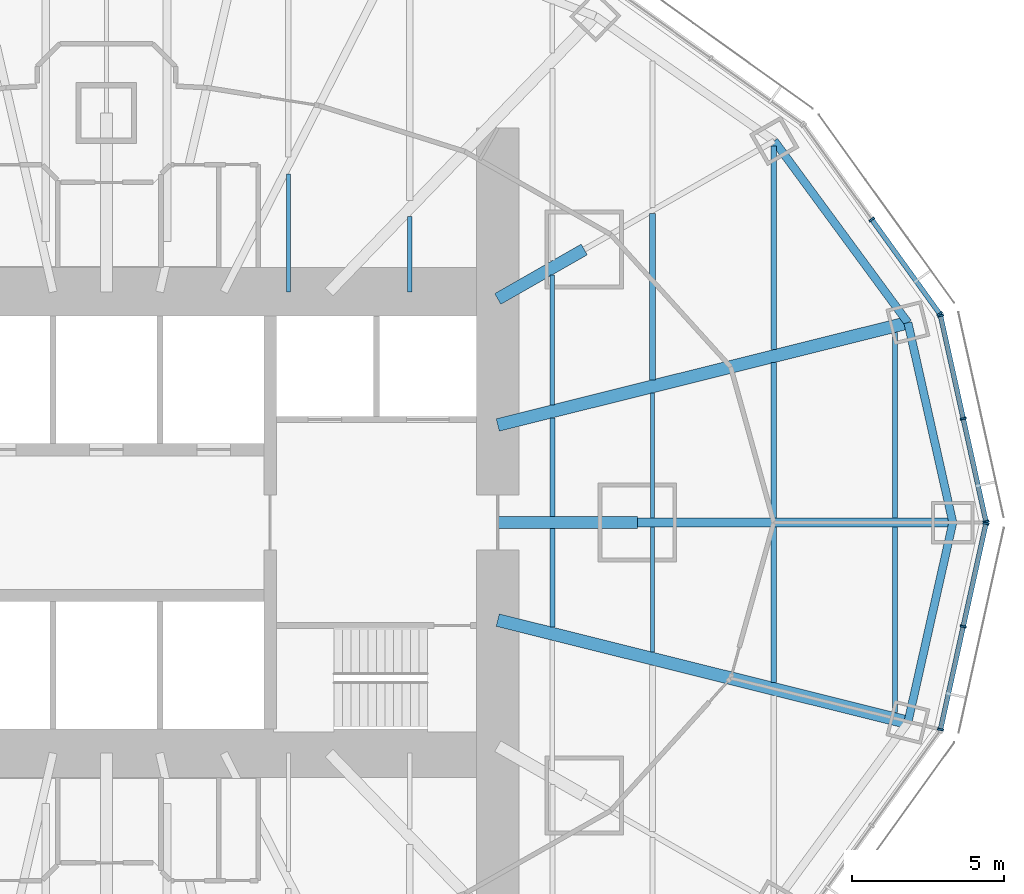
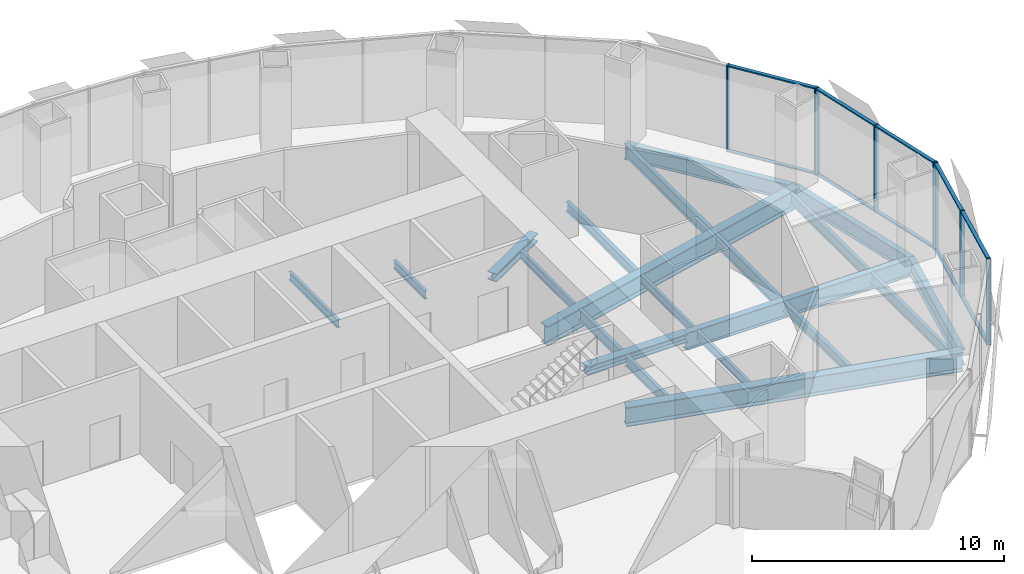
# One storey, part 6 of 17: 21 beams, 18 members, 3 elements without a shape of their own.
"""IFC4 building model written with IfcOpenShell, lengths in metres."""

from ifc_helpers import new_model, si_unit, direction, frame, origin, origin_2d, place, context, subcontext, project, spatial, rectangle, i_section, extrude, material, material_profile, profile_set, type_object, element, aggregate, save


model = new_model("IFC4")

# Units and contexts
model_context = context("Model", 3, precision=1e-05, world=origin(), true_north=direction((0.0, 1.0)))
body_context = subcontext(model_context, "Body", "Model", "MODEL_VIEW")
ifc_project = project(units=[si_unit("LENGTHUNIT", "METRE"), si_unit("AREAUNIT", "SQUARE_METRE"), si_unit("VOLUMEUNIT", "CUBIC_METRE"), si_unit("PLANEANGLEUNIT", "RADIAN"), si_unit("MASSUNIT", "GRAM", prefix="KILO")], contexts=[model_context])

# Site, building, storey
site_placement = place(None, origin())
site = spatial("IfcSite", under=ifc_project, at=site_placement, CompositionType="ELEMENT")
building_placement = place(site_placement, origin())
building = spatial("IfcBuilding", under=site, at=building_placement, Name="Lantaw Convention Tower", CompositionType="ELEMENT")
storey_placement = place(building_placement, frame((0.0, 0.0, 121.60009765625)))
storey = spatial("IfcBuildingStorey", under=building, at=storey_placement, Name="L28", CompositionType="ELEMENT", Elevation=121.60009765625)

# Beams
ifc_material_1 = material(Name="Steel ASTM A992", Category="steel")
ifc_material_profile_1 = material_profile(ifc_material_1, i_section(OverallWidth=0.2666015625, OverallDepth=0.76953125, WebThickness=0.015625, FlangeThickness=0.025390625, FilletRadius=0.0126953125, at=origin_2d()), Name="W30X132")
ifc_profile_set_1 = profile_set([ifc_material_profile_1], Name="Steel ASTM A992")
beam_type_1 = type_object("IfcBeamType", Name="Beam E W30X132", PredefinedType="SPANDREL", material=ifc_profile_set_1)
beam_1_placement = place(storey_placement, frame((27.89990234375, 0.0, -0.534912109375), z_axis=(-0.219211877447, 0.975677279015, 0.0), x_axis=(-0.975677279015, -0.219211877447, 0.0)))
element("IfcBeam", 1, at=beam_1_placement, inside=storey, type_object=beam_type_1, Name="Edge beam 1", PredefinedType="SPANDREL", context=body_context, shape_type="SweptSolid", body=[
    extrude(i_section(OverallWidth=0.2666015625, OverallDepth=0.76953125, WebThickness=0.015625, FlangeThickness=0.025390625, FilletRadius=0.0126953125, at=origin_2d()), origin(), (0.0, 0.0, 1.0), 6.75146484375),
])
beam_2_placement = place(storey_placement, frame((26.419921875, 6.587158203125, -0.534912109375), z_axis=(-0.5923891972, 0.805651934176, 0.0), x_axis=(-0.805651934176, -0.5923891972, 0.0)))
element("IfcBeam", 2, at=beam_2_placement, inside=storey, type_object=beam_type_1, Name="Edge beam 2", PredefinedType="SPANDREL", context=body_context, shape_type="SweptSolid", body=[
    extrude(i_section(OverallWidth=0.2666015625, OverallDepth=0.76953125, WebThickness=0.015625, FlangeThickness=0.025390625, FilletRadius=0.0126953125, at=origin_2d()), origin(), (0.0, 0.0, 1.0), 7.437744140625),
])
beam_3_placement = place(storey_placement, frame((26.419921875, -6.587158203125, -0.534912109375), z_axis=(0.219211877447, 0.975677279015, 0.0), x_axis=(-0.975677279015, 0.219211877447, 0.0)))
element("IfcBeam", 3, at=beam_3_placement, inside=storey, type_object=beam_type_1, Name="Edge beam 24", PredefinedType="SPANDREL", context=body_context, shape_type="SweptSolid", body=[
    extrude(i_section(OverallWidth=0.2666015625, OverallDepth=0.76953125, WebThickness=0.015625, FlangeThickness=0.025390625, FilletRadius=0.0126953125, at=origin_2d()), origin(), (0.0, 0.0, 1.0), 6.75146484375),
])
ifc_material_profile_2 = material_profile(ifc_material_1, i_section(OverallWidth=0.2919921875, OverallDepth=0.845703125, WebThickness=0.015380859375, FlangeThickness=0.0244140625, FilletRadius=0.01513671875, at=origin_2d()), Name="W33X141")
ifc_profile_set_2 = profile_set([ifc_material_profile_2], Name="Steel ASTM A992")
beam_type_2 = type_object("IfcBeamType", Name="Beam G W33X141", PredefinedType="BEAM", material=ifc_profile_set_2)
beam_4_placement = place(storey_placement, frame((17.5, 0.0, -0.572998046875), z_axis=(1.0, 0.0, 0.0), x_axis=(0.0, 1.0, 0.0)))
element("IfcBeam", 4, at=beam_4_placement, inside=storey, type_object=beam_type_2, Name="Floor girder on ray 1", PredefinedType="BEAM", context=body_context, shape_type="SweptSolid", body=[
    extrude(i_section(OverallWidth=0.2919921875, OverallDepth=0.845703125, WebThickness=0.015380859375, FlangeThickness=0.0244140625, FilletRadius=0.01513671875, at=origin_2d()), origin(), (0.0, 0.0, 1.0), 10.39990234375),
])
ifc_material_profile_3 = material_profile(ifc_material_1, i_section(OverallWidth=0.421630859375, OverallDepth=0.937255859375, WebThickness=0.0224609375, FlangeThickness=0.039794921875, FilletRadius=0.02001953125, at=origin_2d()), Name="W36X282")
ifc_profile_set_3 = profile_set([ifc_material_profile_3], Name="Steel ASTM A992")
beam_type_3 = type_object("IfcBeamType", Name="Beam G W36X282", PredefinedType="BEAM", material=ifc_profile_set_3)
for number, where, z_axis, x_axis, name in (
    (5, (12.89990234375, 3.21630859375, -0.61865234375), (0.970296903132, 0.24191717544, 0.0), (-0.24191717544, 0.970296903132, 0.0), "Floor girder on ray 2"),
    (6, (12.89990234375, -3.21630859375, -0.61865234375), (0.970296903132, -0.24191717544, 0.0), (0.24191717544, 0.970296903132, 0.0), "Floor girder on ray 24"),
):
    element("IfcBeam", number, at=place(storey_placement, frame(where, z_axis=z_axis, x_axis=x_axis)), inside=storey, type_object=beam_type_3, Name=name, PredefinedType="BEAM", context=body_context, shape_type="SweptSolid", body=[
        extrude(i_section(OverallWidth=0.421630859375, OverallDepth=0.937255859375, WebThickness=0.0224609375, FlangeThickness=0.039794921875, FilletRadius=0.02001953125, at=origin_2d()), origin(), (0.0, 0.0, 1.0), 13.933837890625),
    ])
ifc_material_profile_4 = material_profile(ifc_material_1, i_section(OverallWidth=0.40380859375, OverallDepth=0.406494140625, WebThickness=0.027099609375, FlangeThickness=0.043701171875, FilletRadius=0.01513671875, at=origin_2d()), Name="W14X233")
ifc_profile_set_4 = profile_set([ifc_material_profile_4], Name="Steel ASTM A992")
beam_type_4 = type_object("IfcBeamType", Name="Beam GM W14X233", PredefinedType="BEAM", material=ifc_profile_set_4)
beam_5_placement = place(storey_placement, frame((12.89990234375, 0.0, -0.353271484375), z_axis=(1.0, 0.0, 0.0), x_axis=(0.0, 1.0, 0.0)))
element("IfcBeam", 7, at=beam_5_placement, inside=storey, type_object=beam_type_4, Name="Core link beam on ray 1", PredefinedType="BEAM", context=body_context, shape_type="SweptSolid", body=[
    extrude(i_section(OverallWidth=0.40380859375, OverallDepth=0.406494140625, WebThickness=0.027099609375, FlangeThickness=0.043701171875, FilletRadius=0.01513671875, at=origin_2d()), origin(), (0.0, 0.0, 1.0), 4.60009765625),
])
beam_6_placement = place(storey_placement, frame((12.89990234375, 7.371337890625, -0.353271484375), z_axis=(0.868238565244, 0.496146947811, 0.0), x_axis=(-0.496146947811, 0.868238565244, 0.0)))
element("IfcBeam", 8, at=beam_6_placement, inside=storey, type_object=beam_type_4, Name="Core link beam on ray 3", PredefinedType="BEAM", context=body_context, shape_type="SweptSolid", body=[
    extrude(i_section(OverallWidth=0.40380859375, OverallDepth=0.406494140625, WebThickness=0.027099609375, FlangeThickness=0.043701171875, FilletRadius=0.01513671875, at=origin_2d()), origin(), (0.0, 0.0, 1.0), 3.28271484375),
])
ifc_material_profile_5 = material_profile(ifc_material_1, i_section(OverallWidth=0.140380859375, OverallDepth=0.40380859375, WebThickness=0.007080078125, FlangeThickness=0.01123046875, FilletRadius=0.01025390625, at=origin_2d()), Name="W16X31")
ifc_profile_set_5 = profile_set([ifc_material_profile_5], Name="Steel ASTM A992")
beam_type_5 = type_object("IfcBeamType", Name="Beam J W16X31", PredefinedType="JOIST", material=ifc_profile_set_5)
beam_7_placement = place(storey_placement, frame((6.0, 7.60009765625, -0.35205078125), z_axis=(0.0, 1.0, 0.0), x_axis=(-1.0, 0.0, 0.0)))
element("IfcBeam", 9, at=beam_7_placement, inside=storey, type_object=beam_type_5, Name="Floor joist", PredefinedType="JOIST", context=body_context, shape_type="SweptSolid", body=[
    extrude(i_section(OverallWidth=0.140380859375, OverallDepth=0.40380859375, WebThickness=0.007080078125, FlangeThickness=0.01123046875, FilletRadius=0.01025390625, at=origin_2d()), origin(), (0.0, 0.0, 1.0), 3.895751953125),
])
beam_8_placement = place(storey_placement, frame((10.0, 7.60009765625, -0.35205078125), z_axis=(0.0, 1.0, 0.0), x_axis=(-1.0, 0.0, 0.0)))
element("IfcBeam", 10, at=beam_8_placement, inside=storey, type_object=beam_type_5, Name="Floor joist", PredefinedType="JOIST", context=body_context, shape_type="SweptSolid", body=[
    extrude(i_section(OverallWidth=0.140380859375, OverallDepth=0.40380859375, WebThickness=0.007080078125, FlangeThickness=0.01123046875, FilletRadius=0.01025390625, at=origin_2d()), origin(), (0.0, 0.0, 1.0), 2.49560546875),
])
beam_9_placement = place(storey_placement, frame((14.699951171875, 3.88232421875, -0.35205078125), z_axis=(0.0, 1.0, 0.0), x_axis=(-1.0, 0.0, 0.0)))
element("IfcBeam", 11, at=beam_9_placement, inside=storey, type_object=beam_type_5, Name="Floor joist", PredefinedType="JOIST", context=body_context, shape_type="SweptSolid", body=[
    extrude(i_section(OverallWidth=0.140380859375, OverallDepth=0.40380859375, WebThickness=0.007080078125, FlangeThickness=0.01123046875, FilletRadius=0.01025390625, at=origin_2d()), origin(), (0.0, 0.0, 1.0), 4.28515625),
])
for number, where, z_axis, x_axis, name in (
    (12, (18.0, -4.270751953125, -0.35205078125), (0.0, 1.0, 0.0), (-1.0, 0.0, 0.0), "Floor joist"),
    (13, (18.0, 0.14599609375, -0.35205078125), (0.0, 1.0, 0.0), (-1.0, 0.0, 0.0), "Floor joist"),
):
    element("IfcBeam", number, at=place(storey_placement, frame(where, z_axis=z_axis, x_axis=x_axis)), inside=storey, type_object=beam_type_5, Name=name, PredefinedType="JOIST", context=body_context, shape_type="SweptSolid", body=[
        extrude(i_section(OverallWidth=0.140380859375, OverallDepth=0.40380859375, WebThickness=0.007080078125, FlangeThickness=0.01123046875, FilletRadius=0.01025390625, at=origin_2d()), origin(), (0.0, 0.0, 1.0), 4.124755859375),
    ])
ifc_material_profile_6 = material_profile(ifc_material_1, i_section(OverallWidth=0.1904296875, OverallDepth=0.457275390625, WebThickness=0.009033203125, FlangeThickness=0.014404296875, FilletRadius=0.01025390625, at=origin_2d()), Name="W18X50")
ifc_profile_set_6 = profile_set([ifc_material_profile_6], Name="Steel ASTM A992")
beam_type_6 = type_object("IfcBeamType", Name="Beam J W18X50", PredefinedType="JOIST", material=ifc_profile_set_6)
beam_10_placement = place(storey_placement, frame((18.0, 4.705078125, -0.378662109375), z_axis=(0.0, 1.0, 0.0), x_axis=(-1.0, 0.0, 0.0)))
element("IfcBeam", 14, at=beam_10_placement, inside=storey, type_object=beam_type_6, Name="Floor joist", PredefinedType="JOIST", context=body_context, shape_type="SweptSolid", body=[
    extrude(i_section(OverallWidth=0.1904296875, OverallDepth=0.457275390625, WebThickness=0.009033203125, FlangeThickness=0.014404296875, FilletRadius=0.01025390625, at=origin_2d()), origin(), (0.0, 0.0, 1.0), 5.47802734375),
])
beam_11_placement = place(storey_placement, frame((22.0, -5.267822265625, -0.378662109375), z_axis=(0.0, 1.0, 0.0), x_axis=(-1.0, 0.0, 0.0)))
element("IfcBeam", 15, at=beam_11_placement, inside=storey, type_object=beam_type_6, Name="Floor joist", PredefinedType="JOIST", context=body_context, shape_type="SweptSolid", body=[
    extrude(i_section(OverallWidth=0.1904296875, OverallDepth=0.457275390625, WebThickness=0.009033203125, FlangeThickness=0.014404296875, FilletRadius=0.01025390625, at=origin_2d()), origin(), (0.0, 0.0, 1.0), 5.121826171875),
])
ifc_material_profile_7 = material_profile(ifc_material_1, i_section(OverallWidth=0.1650390625, OverallDepth=0.52587890625, WebThickness=0.0087890625, FlangeThickness=0.011474609375, FilletRadius=0.0126953125, at=origin_2d()), Name="W21X44")
ifc_profile_set_7 = profile_set([ifc_material_profile_7], Name="Steel ASTM A992")
beam_type_7 = type_object("IfcBeamType", Name="Beam J W21X44", PredefinedType="JOIST", material=ifc_profile_set_7)
for number, where, z_axis, x_axis, name in (
    (16, (26.0, -6.26513671875, -0.4130859375), (0.0, 1.0, 0.0), (-1.0, 0.0, 0.0), "Floor joist"),
    (17, (26.0, 0.14599609375, -0.4130859375), (0.0, 1.0, 0.0), (-1.0, 0.0, 0.0), "Floor joist"),
):
    element("IfcBeam", number, at=place(storey_placement, frame(where, z_axis=z_axis, x_axis=x_axis)), inside=storey, type_object=beam_type_7, Name=name, PredefinedType="JOIST", context=body_context, shape_type="SweptSolid", body=[
        extrude(i_section(OverallWidth=0.1650390625, OverallDepth=0.52587890625, WebThickness=0.0087890625, FlangeThickness=0.011474609375, FilletRadius=0.0126953125, at=origin_2d()), origin(), (0.0, 0.0, 1.0), 6.119140625),
    ])
ifc_material_profile_8 = material_profile(ifc_material_1, i_section(OverallWidth=0.165771484375, OverallDepth=0.5283203125, WebThickness=0.009765625, FlangeThickness=0.013671875, FilletRadius=0.012939453125, at=origin_2d()), Name="W21X50")
ifc_profile_set_8 = profile_set([ifc_material_profile_8], Name="Steel ASTM A992")
beam_type_8 = type_object("IfcBeamType", Name="Beam J W21X50", PredefinedType="JOIST", material=ifc_profile_set_8)
for number, where, z_axis, x_axis, name in (
    (18, (14.699951171875, -3.44775390625, -0.414306640625), (0.0, 1.0, 0.0), (-1.0, 0.0, 0.0), "Floor joist"),
    (19, (14.699951171875, 0.201904296875, -0.414306640625), (0.0, 1.0, 0.0), (-1.0, 0.0, 0.0), "Floor joist"),
):
    element("IfcBeam", number, at=place(storey_placement, frame(where, z_axis=z_axis, x_axis=x_axis)), inside=storey, type_object=beam_type_8, Name=name, PredefinedType="JOIST", context=body_context, shape_type="SweptSolid", body=[
        extrude(i_section(OverallWidth=0.165771484375, OverallDepth=0.5283203125, WebThickness=0.009765625, FlangeThickness=0.013671875, FilletRadius=0.012939453125, at=origin_2d()), origin(), (0.0, 0.0, 1.0), 3.245849609375),
    ])
ifc_material_profile_9 = material_profile(ifc_material_1, i_section(OverallWidth=0.177978515625, OverallDepth=0.599365234375, WebThickness=0.010009765625, FlangeThickness=0.012939453125, FilletRadius=0.012939453125, at=origin_2d()), Name="W24X55")
ifc_profile_set_9 = profile_set([ifc_material_profile_9], Name="Steel ASTM A992")
beam_type_9 = type_object("IfcBeamType", Name="Beam J W24X55", PredefinedType="JOIST", material=ifc_profile_set_9)
beam_12_placement = place(storey_placement, frame((22.0, 0.14599609375, -0.44970703125), z_axis=(0.0, 1.0, 0.0), x_axis=(-1.0, 0.0, 0.0)))
element("IfcBeam", 20, at=beam_12_placement, inside=storey, type_object=beam_type_9, Name="Floor joist", PredefinedType="JOIST", context=body_context, shape_type="SweptSolid", body=[
    extrude(i_section(OverallWidth=0.177978515625, OverallDepth=0.599365234375, WebThickness=0.010009765625, FlangeThickness=0.012939453125, FilletRadius=0.012939453125, at=origin_2d()), origin(), (0.0, 0.0, 1.0), 5.121826171875),
])
beam_13_placement = place(storey_placement, frame((22.0, 5.702392578125, -0.44970703125), z_axis=(0.0, 1.0, 0.0), x_axis=(-1.0, 0.0, 0.0)))
element("IfcBeam", 21, at=beam_13_placement, inside=storey, type_object=beam_type_9, Name="Floor joist", PredefinedType="JOIST", context=body_context, shape_type="SweptSolid", body=[
    extrude(i_section(OverallWidth=0.177978515625, OverallDepth=0.599365234375, WebThickness=0.010009765625, FlangeThickness=0.012939453125, FilletRadius=0.012939453125, at=origin_2d()), origin(), (0.0, 0.0, 1.0), 6.70654296875),
])

# Curtain wall, members
ifc_material_2 = material(Name="Aluminium framed curtain wall", Category="aluminium")
curtain_wall_type = type_object("IfcCurtainWallType", Name="Office curtain wall low rise, pale aluminium", PredefinedType="USERDEFINED", material=ifc_material_2)
curtain_wall_1_placement = place(storey_placement, origin())
curtain_wall_1 = element("IfcCurtainWall", 22, at=curtain_wall_1_placement, inside=storey, type_object=curtain_wall_type, Name="Office curtain wall low rise, pale aluminium L28", ObjectType="UNITISED CURTAIN WALL", PredefinedType="USERDEFINED")
ifc_material_3 = material(Name="Aluminium 6063-T6", Category="aluminium")
ifc_material_profile_10 = material_profile(ifc_material_3, rectangle(XDim=0.199951171875, YDim=0.06494140625, at=origin_2d()), Name="CW-O1 mullion 65x200")
ifc_profile_set_10 = profile_set([ifc_material_profile_10], Name="Aluminium 6063-T6")
member_type_1 = type_object("IfcMemberType", Name="CW-O1 mullion 65x200", PredefinedType="MULLION", material=ifc_profile_set_10)
member_1_placement = place(storey_placement, frame((28.992919921875, 0.03173828125, -0.150146484375), z_axis=(0.0, 0.0, 1.0), x_axis=(-0.9764936509, -0.215546166174, 0.0)))
member_1 = element("IfcMember", 23, at=member_1_placement, type_object=member_type_1, Name="CW-O1 mullion 1", PredefinedType="MULLION", context=body_context, shape_type="SweptSolid", body=[
    extrude(rectangle(XDim=0.199951171875, YDim=0.06494140625, at=origin_2d()), origin(), (0.0, 0.0, 1.0), 4.199951171875),
])
member_2_placement = place(storey_placement, frame((28.24365234375, 3.4267578125, -0.150146484375), z_axis=(0.0, 0.0, 1.0), x_axis=(-0.9764936509, -0.215546166174, 0.0)))
member_2 = element("IfcMember", 24, at=member_2_placement, type_object=member_type_1, Name="CW-O1 mullion 2", PredefinedType="MULLION", context=body_context, shape_type="SweptSolid", body=[
    extrude(rectangle(XDim=0.199951171875, YDim=0.06494140625, at=origin_2d()), origin(), (0.0, 0.0, 1.0), 4.199951171875),
])
member_3_placement = place(storey_placement, frame((27.494140625, 6.821533203125, -0.150146484375), z_axis=(0.0, 0.0, 1.0), x_axis=(-0.9764936509, -0.215546166174, 0.0)))
member_3 = element("IfcMember", 25, at=member_3_placement, type_object=member_type_1, Name="CW-O1 mullion 3", PredefinedType="MULLION", context=body_context, shape_type="SweptSolid", body=[
    extrude(rectangle(XDim=0.199951171875, YDim=0.06494140625, at=origin_2d()), origin(), (0.0, 0.0, 1.0), 4.199951171875),
])

curtain_wall_2_placement = place(storey_placement, origin())
curtain_wall_2 = element("IfcCurtainWall", 26, at=curtain_wall_2_placement, inside=storey, type_object=curtain_wall_type, Name="Office curtain wall low rise, pale aluminium L28", ObjectType="UNITISED CURTAIN WALL", PredefinedType="USERDEFINED")
member_4_placement = place(storey_placement, frame((27.46826171875, 6.879638671875, -0.150146484375), z_axis=(0.0, 0.0, 1.0), x_axis=(-0.811384633629, -0.584512597221, 0.0)))
member_4 = element("IfcMember", 27, at=member_4_placement, type_object=member_type_1, Name="CW-O1 mullion 1", PredefinedType="MULLION", context=body_context, shape_type="SweptSolid", body=[
    extrude(rectangle(XDim=0.199951171875, YDim=0.06494140625, at=origin_2d()), origin(), (0.0, 0.0, 1.0), 4.199951171875),
])
member_5_placement = place(storey_placement, frame((25.22802734375, 9.9892578125, -0.150146484375), z_axis=(0.0, 0.0, 1.0), x_axis=(-0.811384633629, -0.584512597221, 0.0)))
member_5 = element("IfcMember", 28, at=member_5_placement, type_object=member_type_1, Name="CW-O1 mullion 2", PredefinedType="MULLION", context=body_context, shape_type="SweptSolid", body=[
    extrude(rectangle(XDim=0.199951171875, YDim=0.06494140625, at=origin_2d()), origin(), (0.0, 0.0, 1.0), 4.199951171875),
])

curtain_wall_3_placement = place(storey_placement, origin())
curtain_wall_3 = element("IfcCurtainWall", 29, at=curtain_wall_3_placement, inside=storey, type_object=curtain_wall_type, Name="Office curtain wall low rise, pale aluminium L28", ObjectType="UNITISED CURTAIN WALL", PredefinedType="USERDEFINED")
member_6_placement = place(storey_placement, frame((27.494140625, -6.821533203125, -0.150146484375), z_axis=(0.0, 0.0, 1.0), x_axis=(-0.9764936509, 0.215546166174, 0.0)))
member_6 = element("IfcMember", 30, at=member_6_placement, type_object=member_type_1, Name="CW-O1 mullion 1", PredefinedType="MULLION", context=body_context, shape_type="SweptSolid", body=[
    extrude(rectangle(XDim=0.199951171875, YDim=0.06494140625, at=origin_2d()), origin(), (0.0, 0.0, 1.0), 4.199951171875),
])
member_7_placement = place(storey_placement, frame((28.24365234375, -3.4267578125, -0.150146484375), z_axis=(0.0, 0.0, 1.0), x_axis=(-0.9764936509, 0.215546166174, 0.0)))
member_7 = element("IfcMember", 31, at=member_7_placement, type_object=member_type_1, Name="CW-O1 mullion 2", PredefinedType="MULLION", context=body_context, shape_type="SweptSolid", body=[
    extrude(rectangle(XDim=0.199951171875, YDim=0.06494140625, at=origin_2d()), origin(), (0.0, 0.0, 1.0), 4.199951171875),
])
member_8_placement = place(storey_placement, frame((28.992919921875, -0.03173828125, -0.150146484375), z_axis=(0.0, 0.0, 1.0), x_axis=(-0.9764936509, 0.215546166174, 0.0)))
member_8 = element("IfcMember", 32, at=member_8_placement, type_object=member_type_1, Name="CW-O1 mullion 3", PredefinedType="MULLION", context=body_context, shape_type="SweptSolid", body=[
    extrude(rectangle(XDim=0.199951171875, YDim=0.06494140625, at=origin_2d()), origin(), (0.0, 0.0, 1.0), 4.199951171875),
])

# Member
ifc_material_profile_11 = material_profile(ifc_material_3, rectangle(XDim=0.159912109375, YDim=0.06494140625, at=origin_2d()), Name="CW-O1 transom 65x160")
ifc_profile_set_11 = profile_set([ifc_material_profile_11], Name="Aluminium 6063-T6")
member_type_2 = type_object("IfcMemberType", Name="CW-O1 transom 65x160", PredefinedType="USERDEFINED", material=ifc_profile_set_11)
member_9_placement = place(storey_placement, frame((28.986083984375, 0.0634765625, -0.11767578125), z_axis=(-0.215536096386, 0.976495873598, 0.0), x_axis=(-0.976495873598, -0.215536096386, 0.0)))
member_9 = element("IfcMember", 33, at=member_9_placement, type_object=member_type_2, Name="CW-O1 transom 1.1", ObjectType="TRANSOM", PredefinedType="USERDEFINED", context=body_context, shape_type="SweptSolid", body=[
    extrude(rectangle(XDim=0.159912109375, YDim=0.06494140625, at=origin_2d()), origin(), (0.0, 0.0, 1.0), 3.41162109375),
])

member_10_placement = place(storey_placement, frame((28.986083984375, 0.0634765625, 4.017333984375), z_axis=(-0.215536096386, 0.976495873598, 0.0), x_axis=(-0.976495873598, -0.215536096386, 0.0)))
member_10 = element("IfcMember", 34, at=member_10_placement, type_object=member_type_2, Name="CW-O1 transom 1.2", ObjectType="TRANSOM", PredefinedType="USERDEFINED", context=body_context, shape_type="SweptSolid", body=[
    extrude(rectangle(XDim=0.159912109375, YDim=0.06494140625, at=origin_2d()), origin(), (0.0, 0.0, 1.0), 3.41162109375),
])

member_11_placement = place(storey_placement, frame((28.236572265625, 3.45849609375, -0.11767578125), z_axis=(-0.21555115847, 0.976492548913, 0.0), x_axis=(-0.976492548913, -0.21555115847, 0.0)))
member_11 = element("IfcMember", 35, at=member_11_placement, type_object=member_type_2, Name="CW-O1 transom 2.1", ObjectType="TRANSOM", PredefinedType="USERDEFINED", context=body_context, shape_type="SweptSolid", body=[
    extrude(rectangle(XDim=0.159912109375, YDim=0.06494140625, at=origin_2d()), origin(), (0.0, 0.0, 1.0), 3.411376953125),
])

member_12_placement = place(storey_placement, frame((28.236572265625, 3.45849609375, 4.017333984375), z_axis=(-0.21555115847, 0.976492548913, 0.0), x_axis=(-0.976492548913, -0.21555115847, 0.0)))
member_12 = element("IfcMember", 36, at=member_12_placement, type_object=member_type_2, Name="CW-O1 transom 2.2", ObjectType="TRANSOM", PredefinedType="USERDEFINED", context=body_context, shape_type="SweptSolid", body=[
    extrude(rectangle(XDim=0.159912109375, YDim=0.06494140625, at=origin_2d()), origin(), (0.0, 0.0, 1.0), 3.411376953125),
])

aggregate(curtain_wall_1, [member_1, member_2, member_3, member_9, member_10, member_11, member_12])

member_13_placement = place(storey_placement, frame((27.44921875, 6.906005859375, -0.11767578125), z_axis=(-0.584512973979, 0.811384362217, 0.0), x_axis=(-0.811384362217, -0.584512973979, 0.0)))
member_13 = element("IfcMember", 37, at=member_13_placement, type_object=member_type_2, Name="CW-O1 transom 1.1", ObjectType="TRANSOM", PredefinedType="USERDEFINED", context=body_context, shape_type="SweptSolid", body=[
    extrude(rectangle(XDim=0.159912109375, YDim=0.06494140625, at=origin_2d()), origin(), (0.0, 0.0, 1.0), 3.767578125),
])

member_14_placement = place(storey_placement, frame((27.44921875, 6.906005859375, 4.017333984375), z_axis=(-0.584512973979, 0.811384362217, 0.0), x_axis=(-0.811384362217, -0.584512973979, 0.0)))
member_14 = element("IfcMember", 38, at=member_14_placement, type_object=member_type_2, Name="CW-O1 transom 1.2", ObjectType="TRANSOM", PredefinedType="USERDEFINED", context=body_context, shape_type="SweptSolid", body=[
    extrude(rectangle(XDim=0.159912109375, YDim=0.06494140625, at=origin_2d()), origin(), (0.0, 0.0, 1.0), 3.767578125),
])

aggregate(curtain_wall_2, [member_4, member_5, member_13, member_14])

member_15_placement = place(storey_placement, frame((27.501220703125, -6.789794921875, -0.11767578125), z_axis=(0.21555115847, 0.976492548913, 0.0), x_axis=(-0.976492548913, 0.21555115847, 0.0)))
member_15 = element("IfcMember", 39, at=member_15_placement, type_object=member_type_2, Name="CW-O1 transom 1.1", ObjectType="TRANSOM", PredefinedType="USERDEFINED", context=body_context, shape_type="SweptSolid", body=[
    extrude(rectangle(XDim=0.159912109375, YDim=0.06494140625, at=origin_2d()), origin(), (0.0, 0.0, 1.0), 3.411376953125),
])

member_16_placement = place(storey_placement, frame((27.501220703125, -6.789794921875, 4.017333984375), z_axis=(0.21555115847, 0.976492548913, 0.0), x_axis=(-0.976492548913, 0.21555115847, 0.0)))
member_16 = element("IfcMember", 40, at=member_16_placement, type_object=member_type_2, Name="CW-O1 transom 1.2", ObjectType="TRANSOM", PredefinedType="USERDEFINED", context=body_context, shape_type="SweptSolid", body=[
    extrude(rectangle(XDim=0.159912109375, YDim=0.06494140625, at=origin_2d()), origin(), (0.0, 0.0, 1.0), 3.411376953125),
])

member_17_placement = place(storey_placement, frame((28.250732421875, -3.39501953125, -0.11767578125), z_axis=(0.215536096386, 0.976495873598, 0.0), x_axis=(-0.976495873598, 0.215536096386, 0.0)))
member_17 = element("IfcMember", 41, at=member_17_placement, type_object=member_type_2, Name="CW-O1 transom 2.1", ObjectType="TRANSOM", PredefinedType="USERDEFINED", context=body_context, shape_type="SweptSolid", body=[
    extrude(rectangle(XDim=0.159912109375, YDim=0.06494140625, at=origin_2d()), origin(), (0.0, 0.0, 1.0), 3.41162109375),
])

member_18_placement = place(storey_placement, frame((28.250732421875, -3.39501953125, 4.017333984375), z_axis=(0.215536096386, 0.976495873598, 0.0), x_axis=(-0.976495873598, 0.215536096386, 0.0)))
member_18 = element("IfcMember", 42, at=member_18_placement, type_object=member_type_2, Name="CW-O1 transom 2.2", ObjectType="TRANSOM", PredefinedType="USERDEFINED", context=body_context, shape_type="SweptSolid", body=[
    extrude(rectangle(XDim=0.159912109375, YDim=0.06494140625, at=origin_2d()), origin(), (0.0, 0.0, 1.0), 3.41162109375),
])

aggregate(curtain_wall_3, [member_6, member_7, member_8, member_15, member_16, member_17, member_18])

save(model, "model.ifc")
